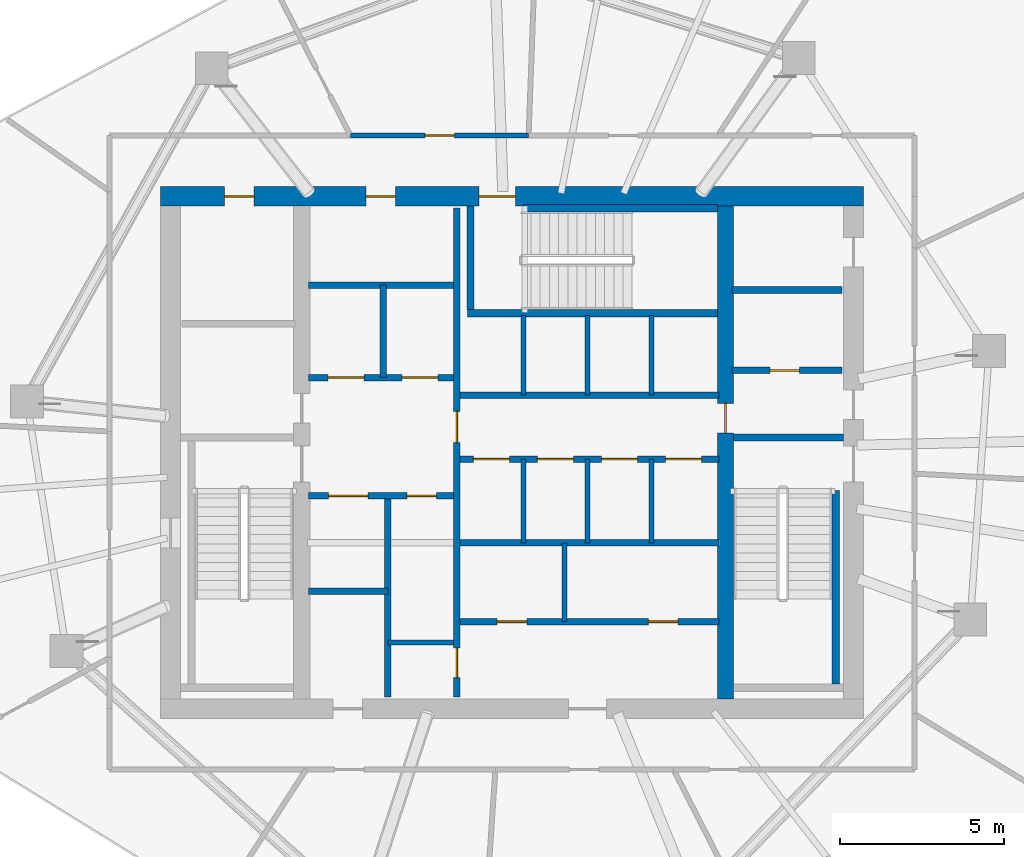
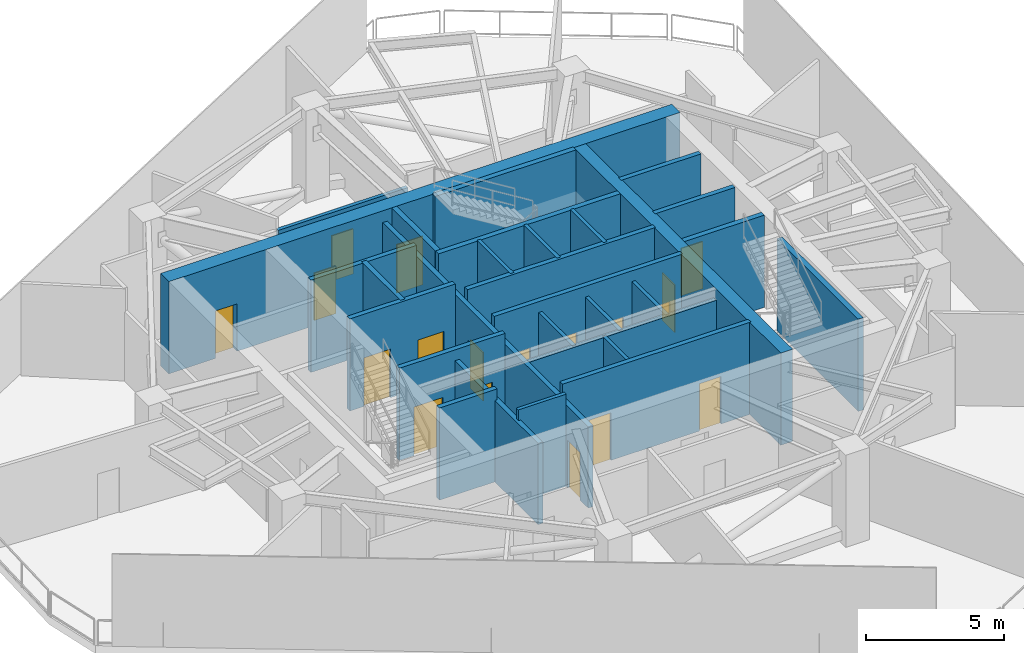
# One storey, part 3 of 6: 29 walls, 18 doors, 18 openings.
"""IFC4 building model written with IfcOpenShell, lengths in metres."""

from ifc_helpers import new_model, si_unit, direction, frame, frame_2d, origin, place, context, subcontext, project, spatial, rectangle, extrude, material, layer, layer_set, type_object, element, fill, save


model = new_model("IFC4")

# Units and contexts
model_context = context("Model", 3, precision=1e-05, world=origin(), true_north=direction((0.0, 1.0)))
body_context = subcontext(model_context, "Body", "Model", "MODEL_VIEW")
ifc_project = project(units=[si_unit("LENGTHUNIT", "METRE"), si_unit("AREAUNIT", "SQUARE_METRE"), si_unit("VOLUMEUNIT", "CUBIC_METRE"), si_unit("PLANEANGLEUNIT", "RADIAN"), si_unit("MASSUNIT", "GRAM", prefix="KILO")], contexts=[model_context])

# Site, building, storey
site_placement = place(None, origin())
site = spatial("IfcSite", under=ifc_project, at=site_placement, CompositionType="ELEMENT")
building_placement = place(site_placement, origin())
building = spatial("IfcBuilding", under=site, at=building_placement, Name="Qarnah Convention Tower", CompositionType="ELEMENT")
storey_placement = place(building_placement, frame((0.0, 0.0, 172.5)))
storey = spatial("IfcBuildingStorey", under=building, at=storey_placement, Name="L46", CompositionType="ELEMENT", Elevation=172.5)

# Wall, openings, doors
ifc_material_1 = material(Name="Concrete C60/75", Category="concrete")
ifc_layer_1 = layer(ifc_material_1, 0.60009765625)
ifc_layer_set_1 = layer_set([ifc_layer_1], Name="Concrete C60/75")
wall_type_1 = type_object("IfcWallType", Name="WL-CORE-600", PredefinedType="SHEAR", material=ifc_layer_set_1)
wall_1_placement = place(storey_placement, frame((26.5, 34.199951171875, 0.0), z_axis=(0.0, 0.0, 1.0), x_axis=(1.0, 0.0, 0.0)))
wall_1 = element("IfcWall", 1, at=wall_1_placement, inside=storey, type_object=wall_type_1, Name="L46 core north shear wall", PredefinedType="SHEAR", context=body_context, shape_type="SweptSolid", body=[
    extrude(rectangle(XDim=21.39990234375, YDim=0.60009765625, at=frame_2d((10.699951171875, 0.0))), origin(), (0.0, 0.0, 1.0), 4.080078125),
])
opening_1_placement = place(wall_1_placement, frame((9.699951171875, 0.0, 0.0)))
opening_1 = element("IfcOpeningElement", 2, at=opening_1_placement, cuts=wall_1, Name="Opening D-4603", PredefinedType="OPENING", context=body_context, shape_type="SweptSolid", body=[
    extrude(rectangle(XDim=1.10009765625, YDim=2.14990234375, at=frame_2d((0.550048828125, 1.074951171875))), frame((0.0, 0.31005859375, 0.0), z_axis=(0.0, -1.0, 0.0), x_axis=(1.0, 0.0, 0.0)), (0.0, 0.0, 1.0), 0.6201171875),
])
opening_2_placement = place(wall_1_placement, frame((1.949951171875, 0.0, 0.0)))
opening_2 = element("IfcOpeningElement", 3, at=opening_2_placement, cuts=wall_1, Name="Opening D-4609", PredefinedType="OPENING", context=body_context, shape_type="SweptSolid", body=[
    extrude(rectangle(XDim=0.89990234375, YDim=2.10009765625, at=frame_2d((0.449951171875, 1.050048828125))), frame((0.0, 0.31005859375, 0.0), z_axis=(0.0, -1.0, 0.0), x_axis=(1.0, 0.0, 0.0)), (0.0, 0.0, 1.0), 0.6201171875),
])
opening_3_placement = place(wall_1_placement, frame((6.25, 0.0, 0.0)))
opening_3 = element("IfcOpeningElement", 4, at=opening_3_placement, cuts=wall_1, Name="Opening D-4610", PredefinedType="OPENING", context=body_context, shape_type="SweptSolid", body=[
    extrude(rectangle(XDim=0.89990234375, YDim=2.10009765625, at=frame_2d((0.449951171875, 1.050048828125))), frame((0.0, 0.31005859375, 0.0), z_axis=(0.0, -1.0, 0.0), x_axis=(1.0, 0.0, 0.0)), (0.0, 0.0, 1.0), 0.6201171875),
])
ifc_material_2 = material(Name="Structural steel S355JR", Category="steel")
door_type_1 = type_object("IfcDoorType", Name="DT-RISER-900", OperationType="NOTDEFINED", PredefinedType="DOOR", material=ifc_material_2)
door_1_placement = place(opening_2_placement, origin())
door_1 = element("IfcDoor", 5, at=door_1_placement, inside=storey, type_object=door_type_1, Name="Door D-4609", OperationType="SINGLE_SWING_LEFT", OverallHeight=2.10009765625, OverallWidth=0.89990234375, PredefinedType="DOOR", context=body_context, shape_type="SweptSolid", body=[
    extrude(rectangle(XDim=0.89990234375, YDim=2.10009765625, at=frame_2d((0.449951171875, 1.050048828125))), frame((0.0, 0.02490234375, 0.0), z_axis=(0.0, -1.0, 0.0), x_axis=(1.0, 0.0, 0.0)), (0.0, 0.0, 1.0), 0.050048828125),
])
fill(opening_2, door_1)
door_2_placement = place(opening_3_placement, origin())
door_2 = element("IfcDoor", 6, at=door_2_placement, inside=storey, type_object=door_type_1, Name="Door D-4610", OperationType="SINGLE_SWING_RIGHT", OverallHeight=2.10009765625, OverallWidth=0.89990234375, PredefinedType="DOOR", context=body_context, shape_type="SweptSolid", body=[
    extrude(rectangle(XDim=0.89990234375, YDim=2.10009765625, at=frame_2d((0.449951171875, 1.050048828125))), frame((0.0, 0.02490234375, 0.0), z_axis=(0.0, -1.0, 0.0), x_axis=(1.0, 0.0, 0.0)), (0.0, 0.0, 1.0), 0.050048828125),
])
fill(opening_3, door_2)
door_type_2 = type_object("IfcDoorType", Name="DT-STAIR-1100", OperationType="NOTDEFINED", PredefinedType="DOOR", material=ifc_material_2)
door_3_placement = place(opening_1_placement, origin())
door_3 = element("IfcDoor", 7, at=door_3_placement, inside=storey, type_object=door_type_2, Name="Door D-4603", OperationType="SINGLE_SWING_LEFT", OverallHeight=2.14990234375, OverallWidth=1.10009765625, PredefinedType="DOOR", context=body_context, shape_type="SweptSolid", body=[
    extrude(rectangle(XDim=1.10009765625, YDim=2.14990234375, at=frame_2d((0.550048828125, 1.074951171875))), frame((0.0, 0.02490234375, 0.0), z_axis=(0.0, -1.0, 0.0), x_axis=(1.0, 0.0, 0.0)), (0.0, 0.0, 1.0), 0.050048828125),
])
fill(opening_1, door_3)

# Wall, opening, door
ifc_layer_2 = layer(ifc_material_1, 0.5)
ifc_layer_set_2 = layer_set([ifc_layer_2], Name="Concrete C60/75")
wall_type_2 = type_object("IfcWallType", Name="WL-CORE-INT-400", PredefinedType="SHEAR", material=ifc_layer_set_2)
wall_2_placement = place(storey_placement, frame((43.699951171875, 18.89990234375, 0.0), z_axis=(0.0, 0.0, 1.0), x_axis=(0.0, 1.0, 0.0)))
wall_2 = element("IfcWall", 8, at=wall_2_placement, inside=storey, type_object=wall_type_2, Name="L46 core east spine shear wall", PredefinedType="SHEAR", context=body_context, shape_type="SweptSolid", body=[
    extrude(rectangle(XDim=15.0, YDim=0.5, at=frame_2d((7.5, 0.0))), origin(), (0.0, 0.0, 1.0), 4.080078125),
])
opening_4_placement = place(wall_2_placement, frame((8.10009765625, 0.0, 0.0)))
opening_4 = element("IfcOpeningElement", 9, at=opening_4_placement, cuts=wall_2, Name="Opening D-4605", PredefinedType="OPENING", context=body_context, shape_type="SweptSolid", body=[
    extrude(rectangle(XDim=0.89990234375, YDim=2.10009765625, at=frame_2d((0.449951171875, 1.050048828125))), frame((0.0, 0.260009765625, 0.0), z_axis=(0.0, -1.0, 0.0), x_axis=(1.0, 0.0, 0.0)), (0.0, 0.0, 1.0), 0.52001953125),
])
door_4_placement = place(opening_4_placement, origin())
door_4 = element("IfcDoor", 10, at=door_4_placement, inside=storey, type_object=door_type_1, Name="Door D-4605", OperationType="SINGLE_SWING_LEFT", OverallHeight=2.10009765625, OverallWidth=0.89990234375, PredefinedType="DOOR", context=body_context, shape_type="SweptSolid", body=[
    extrude(rectangle(XDim=0.89990234375, YDim=2.10009765625, at=frame_2d((0.449951171875, 1.050048828125))), frame((0.0, 0.02490234375, 0.0), z_axis=(0.0, -1.0, 0.0), x_axis=(1.0, 0.0, 0.0)), (0.0, 0.0, 1.0), 0.050048828125),
])
fill(opening_4, door_4)

ifc_material_3 = material(Name="Concrete C45/55", Category="concrete")
ifc_layer_3 = layer(ifc_material_3, 0.199951171875)
ifc_layer_set_3 = layer_set([ifc_layer_3], Name="Concrete C45/55")
wall_type_3 = type_object("IfcWallType", Name="WL-CORE-PART-200", PredefinedType="SOLIDWALL", material=ifc_layer_set_3)
wall_3_placement = place(storey_placement, frame((43.89990234375, 28.89990234375, 0.0), z_axis=(0.0, 0.0, 1.0), x_axis=(1.0, 0.0, 0.0)))
wall_3 = element("IfcWall", 11, at=wall_3_placement, inside=storey, type_object=wall_type_3, Name="L46 interior wall IW-L46-EVSTN", PredefinedType="SOLIDWALL", context=body_context, shape_type="SweptSolid", body=[
    extrude(rectangle(XDim=3.35009765625, YDim=0.199951171875, at=frame_2d((1.675048828125, 0.0))), origin(), (0.0, 0.0, 1.0), 4.080078125),
])
opening_5_placement = place(wall_3_placement, frame((1.14990234375, 0.0, 0.0)))
opening_5 = element("IfcOpeningElement", 12, at=opening_5_placement, cuts=wall_3, Name="Opening D-4611", PredefinedType="OPENING", context=body_context, shape_type="SweptSolid", body=[
    extrude(rectangle(XDim=0.89990234375, YDim=2.10009765625, at=frame_2d((0.449951171875, 1.050048828125))), frame((0.0, 0.10986328125, 0.0), z_axis=(0.0, -1.0, 0.0), x_axis=(1.0, 0.0, 0.0)), (0.0, 0.0, 1.0), 0.219970703125),
])
door_5_placement = place(opening_5_placement, origin())
door_5 = element("IfcDoor", 13, at=door_5_placement, inside=storey, type_object=door_type_1, Name="Door D-4611", OperationType="SINGLE_SWING_LEFT", OverallHeight=2.10009765625, OverallWidth=0.89990234375, PredefinedType="DOOR", context=body_context, shape_type="SweptSolid", body=[
    extrude(rectangle(XDim=0.89990234375, YDim=2.10009765625, at=frame_2d((0.449951171875, 1.050048828125))), frame((0.0, 0.02490234375, 0.0), z_axis=(0.0, -1.0, 0.0), x_axis=(1.0, 0.0, 0.0)), (0.0, 0.0, 1.0), 0.050048828125),
])
fill(opening_5, door_5)

# Wall
wall_4_placement = place(storey_placement, frame((43.89990234375, 31.35009765625, 0.0), z_axis=(0.0, 0.0, 1.0), x_axis=(1.0, 0.0, 0.0)))
element("IfcWall", 14, at=wall_4_placement, inside=storey, type_object=wall_type_3, Name="L46 interior wall IW-L46-WTRN", PredefinedType="SOLIDWALL", context=body_context, shape_type="SweptSolid", body=[
    extrude(rectangle(XDim=3.35009765625, YDim=0.199951171875, at=frame_2d((1.675048828125, 0.0))), origin(), (0.0, 0.0, 1.0), 4.080078125),
])

# Wall, openings, doors
wall_5_placement = place(storey_placement, frame((35.52001953125, 18.949951171875, 0.0), z_axis=(0.0, 0.0, 1.0), x_axis=(0.0, 1.0, 0.0)))
wall_5 = element("IfcWall", 15, at=wall_5_placement, inside=storey, type_object=wall_type_3, Name="L46 interior wall IW-L46-CSP", PredefinedType="SOLIDWALL", context=body_context, shape_type="SweptSolid", body=[
    extrude(rectangle(XDim=14.900146484375, YDim=0.199951171875, at=frame_2d((7.4501953125, 0.0))), origin(), (0.0, 0.0, 1.0), 3.60107421875),
])
opening_6_placement = place(wall_5_placement, frame((7.7548828125, 0.0, 0.0)))
opening_6 = element("IfcOpeningElement", 16, at=opening_6_placement, cuts=wall_5, Name="Opening D-4604", PredefinedType="OPENING", context=body_context, shape_type="SweptSolid", body=[
    extrude(rectangle(XDim=0.949951171875, YDim=2.14990234375, at=frame_2d((0.47509765625, 1.074951171875))), frame((0.0, 0.10986328125, 0.0), z_axis=(0.0, -1.0, 0.0), x_axis=(1.0, 0.0, 0.0)), (0.0, 0.0, 1.0), 0.219970703125),
])
opening_7_placement = place(wall_5_placement, frame((0.60009765625, 0.0, 0.0)))
opening_7 = element("IfcOpeningElement", 17, at=opening_7_placement, cuts=wall_5, Name="Opening D-4614", PredefinedType="OPENING", context=body_context, shape_type="SweptSolid", body=[
    extrude(rectangle(XDim=0.89990234375, YDim=2.10009765625, at=frame_2d((0.449951171875, 1.050048828125))), frame((0.0, 0.10986328125, 0.0), z_axis=(0.0, -1.0, 0.0), x_axis=(1.0, 0.0, 0.0)), (0.0, 0.0, 1.0), 0.219970703125),
])
ifc_material_4 = material(Name="Oak timber veneer", Category="wood")
door_type_3 = type_object("IfcDoorType", Name="DT-HOTEL-950", OperationType="NOTDEFINED", PredefinedType="DOOR", material=ifc_material_4)
door_6_placement = place(opening_6_placement, origin())
door_6 = element("IfcDoor", 18, at=door_6_placement, inside=storey, type_object=door_type_3, Name="Door D-4604", OperationType="SINGLE_SWING_RIGHT", OverallHeight=2.14990234375, OverallWidth=0.949951171875, PredefinedType="DOOR", context=body_context, shape_type="SweptSolid", body=[
    extrude(rectangle(XDim=0.949951171875, YDim=2.14990234375, at=frame_2d((0.47509765625, 1.074951171875))), frame((0.0, 0.02490234375, 0.0), z_axis=(0.0, -1.0, 0.0), x_axis=(1.0, 0.0, 0.0)), (0.0, 0.0, 1.0), 0.050048828125),
])
fill(opening_6, door_6)
door_7_placement = place(opening_7_placement, origin())
door_7 = element("IfcDoor", 19, at=door_7_placement, inside=storey, type_object=door_type_1, Name="Door D-4614", OperationType="SINGLE_SWING_RIGHT", OverallHeight=2.10009765625, OverallWidth=0.89990234375, PredefinedType="DOOR", context=body_context, shape_type="SweptSolid", body=[
    extrude(rectangle(XDim=0.89990234375, YDim=2.10009765625, at=frame_2d((0.449951171875, 1.050048828125))), frame((0.0, 0.02490234375, 0.0), z_axis=(0.0, -1.0, 0.0), x_axis=(1.0, 0.0, 0.0)), (0.0, 0.0, 1.0), 0.050048828125),
])
fill(opening_7, door_7)

wall_6_placement = place(storey_placement, frame((31.0, 28.679931640625, 0.0), z_axis=(0.0, 0.0, 1.0), x_axis=(1.0, 0.0, 0.0)))
wall_6 = element("IfcWall", 20, at=wall_6_placement, inside=storey, type_object=wall_type_3, Name="L46 interior wall IW-L46-FFLS", PredefinedType="SOLIDWALL", context=body_context, shape_type="SweptSolid", body=[
    extrude(rectangle(XDim=4.419921875, YDim=0.199951171875, at=frame_2d((2.2099609375, 0.0))), origin(), (0.0, 0.0, 1.0), 4.080078125),
])
opening_8_placement = place(wall_6_placement, frame((0.60009765625, 0.0, 0.0)))
opening_8 = element("IfcOpeningElement", 21, at=opening_8_placement, cuts=wall_6, Name="Opening LD-4601", PredefinedType="OPENING", context=body_context, shape_type="SweptSolid", body=[
    extrude(rectangle(XDim=1.10009765625, YDim=2.14990234375, at=frame_2d((0.550048828125, 1.074951171875))), frame((0.0, 0.10986328125, 0.0), z_axis=(0.0, -1.0, 0.0), x_axis=(1.0, 0.0, 0.0)), (0.0, 0.0, 1.0), 0.219970703125),
])
opening_9_placement = place(wall_6_placement, frame((2.85009765625, 0.0, 0.0)))
opening_9 = element("IfcOpeningElement", 22, at=opening_9_placement, cuts=wall_6, Name="Opening LD-4602", PredefinedType="OPENING", context=body_context, shape_type="SweptSolid", body=[
    extrude(rectangle(XDim=1.10009765625, YDim=2.14990234375, at=frame_2d((0.550048828125, 1.074951171875))), frame((0.0, 0.10986328125, 0.0), z_axis=(0.0, -1.0, 0.0), x_axis=(1.0, 0.0, 0.0)), (0.0, 0.0, 1.0), 0.219970703125),
])
door_type_4 = type_object("IfcDoorType", Name="DT-LIFT-1100", OperationType="SLIDING_TO_LEFT", PredefinedType="DOOR", material=ifc_material_2)
door_8_placement = place(opening_8_placement, origin())
door_8 = element("IfcDoor", 23, at=door_8_placement, inside=storey, type_object=door_type_4, Name="Door LD-4601", OperationType="SLIDING_TO_LEFT", OverallHeight=2.14990234375, OverallWidth=1.10009765625, PredefinedType="DOOR", context=body_context, shape_type="SweptSolid", body=[
    extrude(rectangle(XDim=1.10009765625, YDim=2.14990234375, at=frame_2d((0.550048828125, 1.074951171875))), frame((0.0, 0.02490234375, 0.0), z_axis=(0.0, -1.0, 0.0), x_axis=(1.0, 0.0, 0.0)), (0.0, 0.0, 1.0), 0.050048828125),
])
fill(opening_8, door_8)
door_9_placement = place(opening_9_placement, origin())
door_9 = element("IfcDoor", 24, at=door_9_placement, inside=storey, type_object=door_type_4, Name="Door LD-4602", OperationType="SLIDING_TO_LEFT", OverallHeight=2.14990234375, OverallWidth=1.10009765625, PredefinedType="DOOR", context=body_context, shape_type="SweptSolid", body=[
    extrude(rectangle(XDim=1.10009765625, YDim=2.14990234375, at=frame_2d((0.550048828125, 1.074951171875))), frame((0.0, 0.02490234375, 0.0), z_axis=(0.0, -1.0, 0.0), x_axis=(1.0, 0.0, 0.0)), (0.0, 0.0, 1.0), 0.050048828125),
])
fill(opening_9, door_9)

# Walls
wall_7_placement = place(storey_placement, frame((31.0, 31.5, 0.0), z_axis=(0.0, 0.0, 1.0), x_axis=(1.0, 0.0, 0.0)))
element("IfcWall", 25, at=wall_7_placement, inside=storey, type_object=wall_type_3, Name="L46 interior wall IW-L46-FFLN", PredefinedType="SOLIDWALL", context=body_context, shape_type="SweptSolid", body=[
    extrude(rectangle(XDim=4.419921875, YDim=0.199951171875, at=frame_2d((2.2099609375, 0.0))), origin(), (0.0, 0.0, 1.0), 4.080078125),
])
wall_8_placement = place(storey_placement, frame((33.280029296875, 28.679931640625, 0.0), z_axis=(0.0, 0.0, 1.0), x_axis=(0.0, 1.0, 0.0)))
element("IfcWall", 26, at=wall_8_placement, inside=storey, type_object=wall_type_3, Name="L46 interior wall IW-L46-FFLM", PredefinedType="SOLIDWALL", context=body_context, shape_type="SweptSolid", body=[
    extrude(rectangle(XDim=2.820068359375, YDim=0.199951171875, at=frame_2d((1.41015625, 0.0))), origin(), (0.0, 0.0, 1.0), 4.080078125),
])

# Wall, openings, doors
wall_9_placement = place(storey_placement, frame((31.0, 25.080078125, 0.0), z_axis=(0.0, 0.0, 1.0), x_axis=(1.0, 0.0, 0.0)))
wall_9 = element("IfcWall", 27, at=wall_9_placement, inside=storey, type_object=wall_type_3, Name="L46 interior wall IW-L46-FFLBS", PredefinedType="SOLIDWALL", context=body_context, shape_type="SweptSolid", body=[
    extrude(rectangle(XDim=4.419921875, YDim=0.199951171875, at=frame_2d((2.2099609375, 0.0))), origin(), (0.0, 0.0, 1.0), 4.080078125),
])
opening_10_placement = place(wall_9_placement, frame((3.0, 0.0, 0.0)))
opening_10 = element("IfcOpeningElement", 28, at=opening_10_placement, cuts=wall_9, Name="Opening D-4615", PredefinedType="OPENING", context=body_context, shape_type="SweptSolid", body=[
    extrude(rectangle(XDim=0.89990234375, YDim=2.10009765625, at=frame_2d((0.449951171875, 1.050048828125))), frame((0.0, 0.10986328125, 0.0), z_axis=(0.0, -1.0, 0.0), x_axis=(1.0, 0.0, 0.0)), (0.0, 0.0, 1.0), 0.219970703125),
])
opening_11_placement = place(wall_9_placement, frame((0.6201171875, 0.0, 0.0)))
opening_11 = element("IfcOpeningElement", 29, at=opening_11_placement, cuts=wall_9, Name="Opening LD-4603", PredefinedType="OPENING", context=body_context, shape_type="SweptSolid", body=[
    extrude(rectangle(XDim=1.199951171875, YDim=2.14990234375, at=frame_2d((0.60009765625, 1.074951171875))), frame((0.0, 0.10986328125, 0.0), z_axis=(0.0, -1.0, 0.0), x_axis=(1.0, 0.0, 0.0)), (0.0, 0.0, 1.0), 0.219970703125),
])
door_type_5 = type_object("IfcDoorType", Name="DT-LIFT-1200", OperationType="SLIDING_TO_LEFT", PredefinedType="DOOR", material=ifc_material_2)
door_10_placement = place(opening_11_placement, origin())
door_10 = element("IfcDoor", 30, at=door_10_placement, inside=storey, type_object=door_type_5, Name="Door LD-4603", OperationType="SLIDING_TO_LEFT", OverallHeight=2.14990234375, OverallWidth=1.199951171875, PredefinedType="DOOR", context=body_context, shape_type="SweptSolid", body=[
    extrude(rectangle(XDim=1.199951171875, YDim=2.14990234375, at=frame_2d((0.60009765625, 1.074951171875))), frame((0.0, 0.02490234375, 0.0), z_axis=(0.0, -1.0, 0.0), x_axis=(1.0, 0.0, 0.0)), (0.0, 0.0, 1.0), 0.050048828125),
])
fill(opening_11, door_10)
door_11_placement = place(opening_10_placement, origin())
door_11 = element("IfcDoor", 31, at=door_11_placement, inside=storey, type_object=door_type_1, Name="Door D-4615", OperationType="SINGLE_SWING_LEFT", OverallHeight=2.10009765625, OverallWidth=0.89990234375, PredefinedType="DOOR", context=body_context, shape_type="SweptSolid", body=[
    extrude(rectangle(XDim=0.89990234375, YDim=2.10009765625, at=frame_2d((0.449951171875, 1.050048828125))), frame((0.0, 0.02490234375, 0.0), z_axis=(0.0, -1.0, 0.0), x_axis=(1.0, 0.0, 0.0)), (0.0, 0.0, 1.0), 0.050048828125),
])
fill(opening_10, door_11)

# Walls
wall_10_placement = place(storey_placement, frame((33.419921875, 18.949951171875, 0.0), z_axis=(0.0, 0.0, 1.0), x_axis=(0.0, 1.0, 0.0)))
element("IfcWall", 32, at=wall_10_placement, inside=storey, type_object=wall_type_3, Name="L46 interior wall IW-L46-SVLE", PredefinedType="SOLIDWALL", context=body_context, shape_type="SweptSolid", body=[
    extrude(rectangle(XDim=6.130126953125, YDim=0.199951171875, at=frame_2d((3.06494140625, 0.0))), origin(), (0.0, 0.0, 1.0), 3.60107421875),
])
wall_11_placement = place(storey_placement, frame((31.0, 22.179931640625, 0.0), z_axis=(0.0, 0.0, 1.0), x_axis=(1.0, 0.0, 0.0)))
element("IfcWall", 33, at=wall_11_placement, inside=storey, type_object=wall_type_3, Name="L46 interior wall IW-L46-SVLS", PredefinedType="SOLIDWALL", context=body_context, shape_type="SweptSolid", body=[
    extrude(rectangle(XDim=2.419921875, YDim=0.199951171875, at=frame_2d((1.2099609375, 0.0))), origin(), (0.0, 0.0, 1.0), 4.080078125),
])
wall_12_placement = place(storey_placement, frame((35.6201171875, 28.14990234375, 0.0), z_axis=(0.0, 0.0, 1.0), x_axis=(1.0, 0.0, 0.0)))
element("IfcWall", 34, at=wall_12_placement, inside=storey, type_object=wall_type_3, Name="L46 interior wall IW-L46-PHS", PredefinedType="SOLIDWALL", context=body_context, shape_type="SweptSolid", body=[
    extrude(rectangle(XDim=7.8798828125, YDim=0.199951171875, at=frame_2d((3.93994140625, 0.0))), origin(), (0.0, 0.0, 1.0), 4.080078125),
])

# Wall, openings, doors
wall_13_placement = place(storey_placement, frame((35.6201171875, 26.199951171875, 0.0), z_axis=(0.0, 0.0, 1.0), x_axis=(1.0, 0.0, 0.0)))
wall_13 = element("IfcWall", 35, at=wall_13_placement, inside=storey, type_object=wall_type_3, Name="L46 interior wall IW-L46-PMN", PredefinedType="SOLIDWALL", context=body_context, shape_type="SweptSolid", body=[
    extrude(rectangle(XDim=7.8798828125, YDim=0.199951171875, at=frame_2d((3.93994140625, 0.0))), origin(), (0.0, 0.0, 1.0), 4.080078125),
])
opening_12_placement = place(wall_13_placement, frame((0.405029296875, 0.0, 0.0)))
opening_12 = element("IfcOpeningElement", 36, at=opening_12_placement, cuts=wall_13, Name="Opening LD-4604", PredefinedType="OPENING", context=body_context, shape_type="SweptSolid", body=[
    extrude(rectangle(XDim=1.10009765625, YDim=2.14990234375, at=frame_2d((0.550048828125, 1.074951171875))), frame((0.0, 0.10986328125, 0.0), z_axis=(0.0, -1.0, 0.0), x_axis=(1.0, 0.0, 0.0)), (0.0, 0.0, 1.0), 0.219970703125),
])
opening_13_placement = place(wall_13_placement, frame((2.35498046875, 0.0, 0.0)))
opening_13 = element("IfcOpeningElement", 37, at=opening_13_placement, cuts=wall_13, Name="Opening LD-4605", PredefinedType="OPENING", context=body_context, shape_type="SweptSolid", body=[
    extrude(rectangle(XDim=1.10009765625, YDim=2.14990234375, at=frame_2d((0.550048828125, 1.074951171875))), frame((0.0, 0.10986328125, 0.0), z_axis=(0.0, -1.0, 0.0), x_axis=(1.0, 0.0, 0.0)), (0.0, 0.0, 1.0), 0.219970703125),
])
opening_14_placement = place(wall_13_placement, frame((4.304931640625, 0.0, 0.0)))
opening_14 = element("IfcOpeningElement", 38, at=opening_14_placement, cuts=wall_13, Name="Opening LD-4606", PredefinedType="OPENING", context=body_context, shape_type="SweptSolid", body=[
    extrude(rectangle(XDim=1.10009765625, YDim=2.14990234375, at=frame_2d((0.550048828125, 1.074951171875))), frame((0.0, 0.10986328125, 0.0), z_axis=(0.0, -1.0, 0.0), x_axis=(1.0, 0.0, 0.0)), (0.0, 0.0, 1.0), 0.219970703125),
])
opening_15_placement = place(wall_13_placement, frame((6.2548828125, 0.0, 0.0)))
opening_15 = element("IfcOpeningElement", 39, at=opening_15_placement, cuts=wall_13, Name="Opening LD-4607", PredefinedType="OPENING", context=body_context, shape_type="SweptSolid", body=[
    extrude(rectangle(XDim=1.10009765625, YDim=2.14990234375, at=frame_2d((0.550048828125, 1.074951171875))), frame((0.0, 0.10986328125, 0.0), z_axis=(0.0, -1.0, 0.0), x_axis=(1.0, 0.0, 0.0)), (0.0, 0.0, 1.0), 0.219970703125),
])
door_12_placement = place(opening_12_placement, origin())
door_12 = element("IfcDoor", 40, at=door_12_placement, inside=storey, type_object=door_type_4, Name="Door LD-4604", OperationType="SLIDING_TO_LEFT", OverallHeight=2.14990234375, OverallWidth=1.10009765625, PredefinedType="DOOR", context=body_context, shape_type="SweptSolid", body=[
    extrude(rectangle(XDim=1.10009765625, YDim=2.14990234375, at=frame_2d((0.550048828125, 1.074951171875))), frame((0.0, 0.02490234375, 0.0), z_axis=(0.0, -1.0, 0.0), x_axis=(1.0, 0.0, 0.0)), (0.0, 0.0, 1.0), 0.050048828125),
])
fill(opening_12, door_12)
door_13_placement = place(opening_13_placement, origin())
door_13 = element("IfcDoor", 41, at=door_13_placement, inside=storey, type_object=door_type_4, Name="Door LD-4605", OperationType="SLIDING_TO_LEFT", OverallHeight=2.14990234375, OverallWidth=1.10009765625, PredefinedType="DOOR", context=body_context, shape_type="SweptSolid", body=[
    extrude(rectangle(XDim=1.10009765625, YDim=2.14990234375, at=frame_2d((0.550048828125, 1.074951171875))), frame((0.0, 0.02490234375, 0.0), z_axis=(0.0, -1.0, 0.0), x_axis=(1.0, 0.0, 0.0)), (0.0, 0.0, 1.0), 0.050048828125),
])
fill(opening_13, door_13)
door_14_placement = place(opening_14_placement, origin())
door_14 = element("IfcDoor", 42, at=door_14_placement, inside=storey, type_object=door_type_4, Name="Door LD-4606", OperationType="SLIDING_TO_LEFT", OverallHeight=2.14990234375, OverallWidth=1.10009765625, PredefinedType="DOOR", context=body_context, shape_type="SweptSolid", body=[
    extrude(rectangle(XDim=1.10009765625, YDim=2.14990234375, at=frame_2d((0.550048828125, 1.074951171875))), frame((0.0, 0.02490234375, 0.0), z_axis=(0.0, -1.0, 0.0), x_axis=(1.0, 0.0, 0.0)), (0.0, 0.0, 1.0), 0.050048828125),
])
fill(opening_14, door_14)
door_15_placement = place(opening_15_placement, origin())
door_15 = element("IfcDoor", 43, at=door_15_placement, inside=storey, type_object=door_type_4, Name="Door LD-4607", OperationType="SLIDING_TO_LEFT", OverallHeight=2.14990234375, OverallWidth=1.10009765625, PredefinedType="DOOR", context=body_context, shape_type="SweptSolid", body=[
    extrude(rectangle(XDim=1.10009765625, YDim=2.14990234375, at=frame_2d((0.550048828125, 1.074951171875))), frame((0.0, 0.02490234375, 0.0), z_axis=(0.0, -1.0, 0.0), x_axis=(1.0, 0.0, 0.0)), (0.0, 0.0, 1.0), 0.050048828125),
])
fill(opening_15, door_15)

# Wall
wall_14_placement = place(storey_placement, frame((35.6201171875, 23.64990234375, 0.0), z_axis=(0.0, 0.0, 1.0), x_axis=(1.0, 0.0, 0.0)))
element("IfcWall", 44, at=wall_14_placement, inside=storey, type_object=wall_type_3, Name="L46 interior wall IW-L46-PMPL", PredefinedType="SOLIDWALL", context=body_context, shape_type="SweptSolid", body=[
    extrude(rectangle(XDim=7.8798828125, YDim=0.199951171875, at=frame_2d((3.93994140625, 0.0))), origin(), (0.0, 0.0, 1.0), 3.60107421875),
])

# Wall, openings, doors
wall_15_placement = place(storey_placement, frame((35.6201171875, 21.25, 0.0), z_axis=(0.0, 0.0, 1.0), x_axis=(1.0, 0.0, 0.0)))
wall_15 = element("IfcWall", 45, at=wall_15_placement, inside=storey, type_object=wall_type_3, Name="L46 interior wall IW-L46-PLS", PredefinedType="SOLIDWALL", context=body_context, shape_type="SweptSolid", body=[
    extrude(rectangle(XDim=7.8798828125, YDim=0.199951171875, at=frame_2d((3.93994140625, 0.0))), origin(), (0.0, 0.0, 1.0), 4.080078125),
])
opening_16_placement = place(wall_15_placement, frame((1.1298828125, 0.0, 0.0)))
opening_16 = element("IfcOpeningElement", 46, at=opening_16_placement, cuts=wall_15, Name="Opening D-4616", PredefinedType="OPENING", context=body_context, shape_type="SweptSolid", body=[
    extrude(rectangle(XDim=0.89990234375, YDim=2.10009765625, at=frame_2d((0.449951171875, 1.050048828125))), frame((0.0, 0.10986328125, 0.0), z_axis=(0.0, -1.0, 0.0), x_axis=(1.0, 0.0, 0.0)), (0.0, 0.0, 1.0), 0.219970703125),
])
opening_17_placement = place(wall_15_placement, frame((5.72998046875, 0.0, 0.0)))
opening_17 = element("IfcOpeningElement", 47, at=opening_17_placement, cuts=wall_15, Name="Opening D-4617", PredefinedType="OPENING", context=body_context, shape_type="SweptSolid", body=[
    extrude(rectangle(XDim=0.89990234375, YDim=2.10009765625, at=frame_2d((0.449951171875, 1.050048828125))), frame((0.0, 0.10986328125, 0.0), z_axis=(0.0, -1.0, 0.0), x_axis=(1.0, 0.0, 0.0)), (0.0, 0.0, 1.0), 0.219970703125),
])
door_16_placement = place(opening_16_placement, origin())
door_16 = element("IfcDoor", 48, at=door_16_placement, inside=storey, type_object=door_type_1, Name="Door D-4616", OperationType="SINGLE_SWING_RIGHT", OverallHeight=2.10009765625, OverallWidth=0.89990234375, PredefinedType="DOOR", context=body_context, shape_type="SweptSolid", body=[
    extrude(rectangle(XDim=0.89990234375, YDim=2.10009765625, at=frame_2d((0.449951171875, 1.050048828125))), frame((0.0, 0.02490234375, 0.0), z_axis=(0.0, -1.0, 0.0), x_axis=(1.0, 0.0, 0.0)), (0.0, 0.0, 1.0), 0.050048828125),
])
fill(opening_16, door_16)
door_17_placement = place(opening_17_placement, origin())
door_17 = element("IfcDoor", 49, at=door_17_placement, inside=storey, type_object=door_type_1, Name="Door D-4617", OperationType="SINGLE_SWING_LEFT", OverallHeight=2.10009765625, OverallWidth=0.89990234375, PredefinedType="DOOR", context=body_context, shape_type="SweptSolid", body=[
    extrude(rectangle(XDim=0.89990234375, YDim=2.10009765625, at=frame_2d((0.449951171875, 1.050048828125))), frame((0.0, 0.02490234375, 0.0), z_axis=(0.0, -1.0, 0.0), x_axis=(1.0, 0.0, 0.0)), (0.0, 0.0, 1.0), 0.050048828125),
])
fill(opening_17, door_17)

# Walls
ifc_layer_4 = layer(ifc_material_1, 0.219970703125)
ifc_layer_set_4 = layer_set([ifc_layer_4], Name="Concrete C60/75")
wall_type_4 = type_object("IfcWallType", Name="WL-CORE-STAIR-220", PredefinedType="SHEAR", material=ifc_layer_set_4)
wall_16_placement = place(storey_placement, frame((43.949951171875, 26.860107421875, 0.0), z_axis=(0.0, 0.0, 1.0), x_axis=(1.0, 0.0, 0.0)))
element("IfcWall", 50, at=wall_16_placement, inside=storey, type_object=wall_type_4, Name="L46 stair shaft shear wall SW-L46-ST2N", PredefinedType="SHEAR", context=body_context, shape_type="SweptSolid", body=[
    extrude(rectangle(XDim=3.35009765625, YDim=0.219970703125, at=frame_2d((1.675048828125, 0.0))), origin(), (0.0, 0.0, 1.0), 4.080078125),
])
wall_17_placement = place(storey_placement, frame((47.06005859375, 19.35009765625, 0.0), z_axis=(0.0, 0.0, 1.0), x_axis=(0.0, 1.0, 0.0)))
element("IfcWall", 51, at=wall_17_placement, inside=storey, type_object=wall_type_4, Name="L46 stair shaft shear wall SW-L46-ST2E", PredefinedType="SHEAR", context=body_context, shape_type="SweptSolid", body=[
    extrude(rectangle(XDim=5.89990234375, YDim=0.219970703125, at=frame_2d((2.949951171875, 0.0))), origin(), (0.0, 0.0, 1.0), 4.080078125),
])
wall_18_placement = place(storey_placement, frame((35.840087890625, 30.639892578125, 0.0), z_axis=(0.0, 0.0, 1.0), x_axis=(1.0, 0.0, 0.0)))
element("IfcWall", 52, at=wall_18_placement, inside=storey, type_object=wall_type_4, Name="L46 stair shaft shear wall SW-L46-ST3S", PredefinedType="SHEAR", context=body_context, shape_type="SweptSolid", body=[
    extrude(rectangle(XDim=7.60986328125, YDim=0.219970703125, at=frame_2d((3.804931640625, 0.0))), origin(), (0.0, 0.0, 1.0), 4.080078125),
])
wall_19_placement = place(storey_placement, frame((35.93994140625, 30.75, 0.0), z_axis=(0.0, 0.0, 1.0), x_axis=(0.0, 1.0, 0.0)))
element("IfcWall", 53, at=wall_19_placement, inside=storey, type_object=wall_type_4, Name="L46 stair shaft shear wall SW-L46-ST3W", PredefinedType="SHEAR", context=body_context, shape_type="SweptSolid", body=[
    extrude(rectangle(XDim=3.14990234375, YDim=0.219970703125, at=frame_2d((1.574951171875, 0.0))), origin(), (0.0, 0.0, 1.0), 4.080078125),
])
wall_20_placement = place(storey_placement, frame((37.550048828125, 33.840087890625, 0.0), z_axis=(0.0, 0.0, 1.0), x_axis=(1.0, 0.0, 0.0)))
element("IfcWall", 54, at=wall_20_placement, inside=storey, type_object=wall_type_4, Name="L46 stair shaft shear wall SW-L46-ST3N", PredefinedType="SHEAR", context=body_context, shape_type="SweptSolid", body=[
    extrude(rectangle(XDim=5.89990234375, YDim=0.219970703125, at=frame_2d((2.949951171875, 0.0))), origin(), (0.0, 0.0, 1.0), 4.080078125),
])
ifc_material_5 = material(Name="Gypsum partition board")
ifc_layer_5 = layer(ifc_material_5, 0.14990234375)
ifc_layer_set_5 = layer_set([ifc_layer_5], Name="Gypsum partition board")
wall_type_5 = type_object("IfcWallType", Name="WL-SUITE-150", PredefinedType="PARTITIONING", material=ifc_layer_set_5)
wall_21_placement = place(storey_placement, frame((33.419921875, 20.6201171875, 0.0), z_axis=(0.0, 0.0, 1.0), x_axis=(1.0, 0.0, 0.0)))
element("IfcWall", 55, at=wall_21_placement, inside=storey, type_object=wall_type_5, Name="L46 interior wall IW-L46-CSV1", PredefinedType="PARTITIONING", context=body_context, shape_type="SweptSolid", body=[
    extrude(rectangle(XDim=2.0, YDim=0.14990234375, at=frame_2d((1.0, 0.0))), origin(), (0.0, 0.0, 1.0), 4.080078125),
])
for number, where, z_axis, x_axis, name in (
    (56, (37.550048828125, 28.14990234375, 0.0), (0.0, 0.0, 1.0), (0.0, 1.0, 0.0), "L46 interior wall IW-L46-PHD1"),
    (57, (39.5, 28.14990234375, 0.0), (0.0, 0.0, 1.0), (0.0, 1.0, 0.0), "L46 interior wall IW-L46-PHD2"),
    (58, (41.449951171875, 28.14990234375, 0.0), (0.0, 0.0, 1.0), (0.0, 1.0, 0.0), "L46 interior wall IW-L46-PHD3"),
):
    element("IfcWall", number, at=place(storey_placement, frame(where, z_axis=z_axis, x_axis=x_axis)), inside=storey, type_object=wall_type_5, Name=name, PredefinedType="PARTITIONING", context=body_context, shape_type="SweptSolid", body=[
        extrude(rectangle(XDim=2.43017578125, YDim=0.14990234375, at=frame_2d((1.215087890625, 0.0))), origin(), (0.0, 0.0, 1.0), 4.080078125),
    ])
for number, where, z_axis, x_axis, name in (
    (59, (37.550048828125, 23.64990234375, 0.0), (0.0, 0.0, 1.0), (0.0, 1.0, 0.0), "L46 interior wall IW-L46-PMD1"),
    (60, (39.5, 23.64990234375, 0.0), (0.0, 0.0, 1.0), (0.0, 1.0, 0.0), "L46 interior wall IW-L46-PMD2"),
    (61, (41.449951171875, 23.64990234375, 0.0), (0.0, 0.0, 1.0), (0.0, 1.0, 0.0), "L46 interior wall IW-L46-PMD3"),
):
    element("IfcWall", number, at=place(storey_placement, frame(where, z_axis=z_axis, x_axis=x_axis)), inside=storey, type_object=wall_type_5, Name=name, PredefinedType="PARTITIONING", context=body_context, shape_type="SweptSolid", body=[
        extrude(rectangle(XDim=2.550048828125, YDim=0.14990234375, at=frame_2d((1.27490234375, 0.0))), origin(), (0.0, 0.0, 1.0), 3.60107421875),
    ])
wall_22_placement = place(storey_placement, frame((38.800048828125, 21.25, 0.0), z_axis=(0.0, 0.0, 1.0), x_axis=(0.0, 1.0, 0.0)))
element("IfcWall", 62, at=wall_22_placement, inside=storey, type_object=wall_type_5, Name="L46 interior wall IW-L46-PLFD", PredefinedType="PARTITIONING", context=body_context, shape_type="SweptSolid", body=[
    extrude(rectangle(XDim=2.39990234375, YDim=0.14990234375, at=frame_2d((1.199951171875, 0.0))), origin(), (0.0, 0.0, 1.0), 3.60107421875),
])

# Wall, opening, door
wall_23_placement = place(storey_placement, frame((32.282958984375, 36.050048828125, 0.0), z_axis=(0.0, 0.0, 1.0), x_axis=(1.0, 0.0, 0.0)))
wall_23 = element("IfcWall", 63, at=wall_23_placement, inside=storey, type_object=wall_type_5, Name="L46 interior wall IW-L46-R-09", PredefinedType="PARTITIONING", context=body_context, shape_type="SweptSolid", body=[
    extrude(rectangle(XDim=5.423095703125, YDim=0.14990234375, at=frame_2d((2.71142578125, 0.0))), origin(), (0.0, 0.0, 1.0), 3.06494140625),
])
opening_18_placement = place(wall_23_placement, frame((2.261962890625, 0.0, 0.0)))
opening_18 = element("IfcOpeningElement", 64, at=opening_18_placement, cuts=wall_23, Name="Opening D-4620", PredefinedType="OPENING", context=body_context, shape_type="SweptSolid", body=[
    extrude(rectangle(XDim=0.89990234375, YDim=2.0, at=frame_2d((0.449951171875, 1.0))), frame((0.0, 0.0849609375, 0.0), z_axis=(0.0, -1.0, 0.0), x_axis=(1.0, 0.0, 0.0)), (0.0, 0.0, 1.0), 0.169921875),
])
door_type_6 = type_object("IfcDoorType", Name="DT-PLANT-900", OperationType="NOTDEFINED", PredefinedType="DOOR", material=ifc_material_2)
door_18_placement = place(opening_18_placement, origin())
door_18 = element("IfcDoor", 65, at=door_18_placement, inside=storey, type_object=door_type_6, Name="Door D-4620", OperationType="SINGLE_SWING_RIGHT", OverallHeight=2.0, OverallWidth=0.89990234375, PredefinedType="DOOR", context=body_context, shape_type="SweptSolid", body=[
    extrude(rectangle(XDim=0.89990234375, YDim=2.0, at=frame_2d((0.449951171875, 1.0))), frame((0.0, 0.02490234375, 0.0), z_axis=(0.0, -1.0, 0.0), x_axis=(1.0, 0.0, 0.0)), (0.0, 0.0, 1.0), 0.050048828125),
])
fill(opening_18, door_18)

save(model, "model.ifc")
